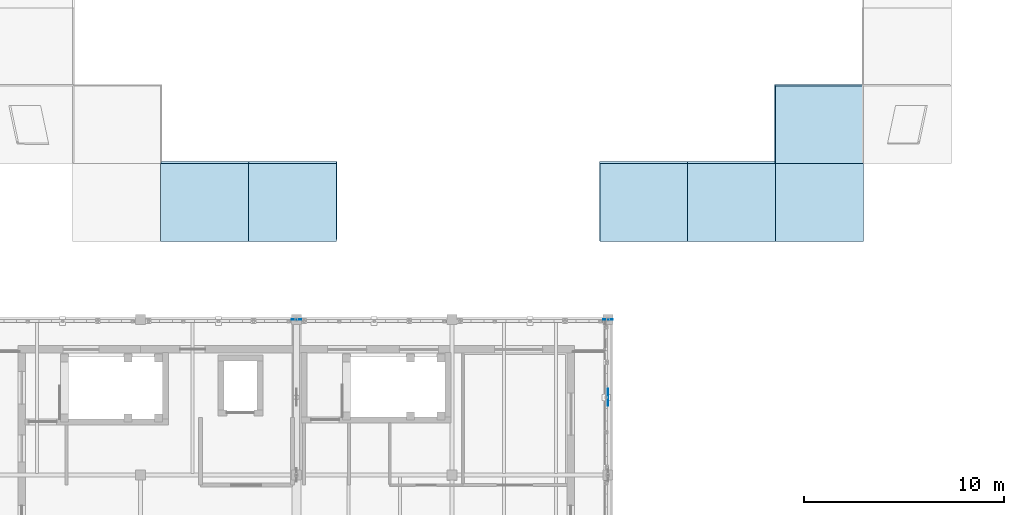
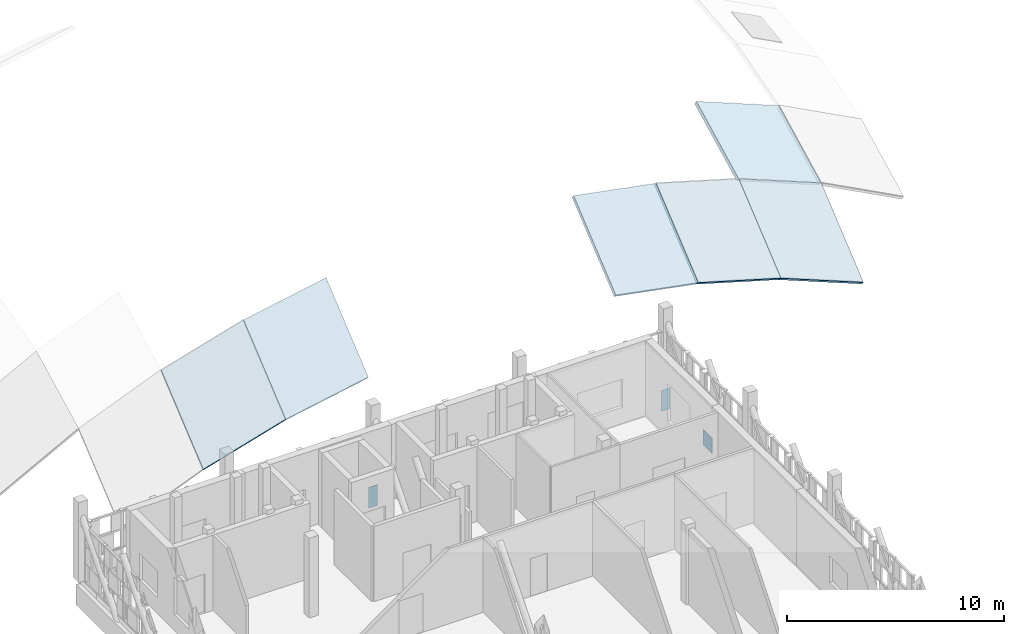
# One storey, part 50 of 89: 6 slabs, 3 plates.
"""IFC4 building model written with IfcOpenShell, lengths in metres."""

from ifc_helpers import new_model, si_unit, direction, frame, origin, origin_2d, place, context, subcontext, project, spatial, polyline, rectangle, outline, extrude, material, layer, layer_set, type_object, element, save


model = new_model("IFC4")

# Units and contexts
model_context = context("Model", 3, precision=1e-05, world=origin(), true_north=direction((0.0, 1.0)))
body_context = subcontext(model_context, "Body", "Model", "MODEL_VIEW")
ifc_project = project(units=[si_unit("LENGTHUNIT", "METRE"), si_unit("AREAUNIT", "SQUARE_METRE"), si_unit("VOLUMEUNIT", "CUBIC_METRE"), si_unit("PLANEANGLEUNIT", "RADIAN"), si_unit("MASSUNIT", "GRAM", prefix="KILO")], contexts=[model_context])

# Site, building, storey
site_placement = place(None, origin())
site = spatial("IfcSite", under=ifc_project, at=site_placement, CompositionType="ELEMENT")
building_placement = place(site_placement, origin())
building = spatial("IfcBuilding", under=site, at=building_placement, Name="Celorna Specialist Clinic", CompositionType="ELEMENT")
storey_placement = place(building_placement, frame((0.0, 0.0, 14.10009765625)))
storey = spatial("IfcBuildingStorey", under=building, at=storey_placement, Name="L03", CompositionType="ELEMENT", Elevation=14.10009765625)

# Plates
ifc_material_1 = material(Name="Steel S355", Category="steel")
ifc_layer_1 = layer(ifc_material_1, 0.02490234375, Name="Steel S355")
ifc_layer_set_1 = layer_set([ifc_layer_1], Name="Steel S355")
plate_type_1 = type_object("IfcPlateType", Name="EP-01", PredefinedType="SHEET", material=ifc_layer_set_1)
for number, where, z_axis, x_axis, name in (
    (1, (70.199951171875, 42.89990234375, -1.42529296875), (0.0, 0.0, 1.0), (1.0, 0.0, 0.0), "Truss chord end cap plate EP-01 #30"),
    (2, (85.800048828125, 42.89990234375, -1.42529296875), (0.0, 0.0, 1.0), (1.0, 0.0, 0.0), "Truss chord end cap plate EP-01 #52"),
):
    element("IfcPlate", number, at=place(storey_placement, frame(where, z_axis=z_axis, x_axis=x_axis)), inside=storey, type_object=plate_type_1, Name=name, PredefinedType="SHEET", context=body_context, shape_type="SweptSolid", body=[
        extrude(rectangle(XDim=0.47998046875, YDim=0.02490234375, at=origin_2d()), origin(), (0.0, 0.0, 1.0), 1.179931640625),
    ])
ifc_layer_2 = layer(ifc_material_1, 0.028076171875, Name="Steel S355")
ifc_layer_set_2 = layer_set([ifc_layer_2], Name="Steel S355")
plate_type_2 = type_object("IfcPlateType", Name="GP-01", PredefinedType="USERDEFINED", material=ifc_layer_set_2)
plate_placement = place(storey_placement, frame((85.800048828125, 39.0, -1.26025390625), z_axis=(0.0, 0.0, 1.0), x_axis=(0.0, 1.0, 0.0)))
element("IfcPlate", 3, at=plate_placement, inside=storey, type_object=plate_type_2, Name="Truss node gusset plate TN-074", ObjectType="GUSSET PLATE", PredefinedType="USERDEFINED", context=body_context, shape_type="SweptSolid", body=[
    extrude(rectangle(XDim=0.85009765625, YDim=0.028076171875, at=origin_2d()), origin(), (0.0, 0.0, 1.0), 0.85009765625),
])

# Slabs
ifc_material_2 = material(Name="Glulam GL28h insulated roof deck", Category="wood")
ifc_layer_3 = layer(ifc_material_2, 0.179931640625, Name="Glulam GL28h insulated roof deck")
ifc_layer_set_3 = layer_set([ifc_layer_3], Name="Glulam GL28h insulated roof deck")
slab_type = type_object("IfcSlabType", Name="SL-12", PredefinedType="ROOF", material=ifc_layer_set_3)
slab_1_placement = place(storey_placement, frame((63.39990234375, 46.800048828125, 0.6953125), z_axis=(-0.219360188333, -0.623769411018, 0.750195194368), x_axis=(0.959809509952, 0.0, 0.280652284162)))
element("IfcSlab", 4, at=slab_1_placement, inside=storey, type_object=slab_type, Name="GSH-V1 translational gridshell roof facet 3-1", PredefinedType="ROOF", context=body_context, shape_type="SweptSolid", body=[
    extrude(outline(polyline([(0.0, 0.0), (4.584395589697743, 1.1102230246251565e-16), (5.494459954501737, 4.989585891134247), (0.9100643648039946, 4.989585891134247), (0.0, 0.0)])), origin(), (0.0, 0.0, -1.0), 0.179931640625),
])
slab_2_placement = place(storey_placement, frame((67.800048828125, 46.800048828125, 1.98193359375), z_axis=(-0.144925345296, -0.632591455463, 0.760805293598), x_axis=(0.982336180889, 0.0, 0.187124631506)))
element("IfcSlab", 5, at=slab_2_placement, inside=storey, type_object=slab_type, Name="GSH-V1 translational gridshell roof facet 4-1", PredefinedType="ROOF", context=body_context, shape_type="SweptSolid", body=[
    extrude(outline(polyline([(0.0, 0.0), (4.479018923814234, -1.1102230246251565e-16), (5.085803434472522, 5.035473867543871), (0.6067845106582882, 5.035473867543871), (0.0, 0.0)])), origin(), (0.0, 0.0, -1.0), 0.179931640625),
])
slab_3_placement = place(storey_placement, frame((85.39990234375, 46.800048828125, 2.820068359375), z_axis=(0.14491747304, -0.632592192643, 0.76080618019), x_axis=(0.982338089354, 0.0, -0.187114612481)))
element("IfcSlab", 6, at=slab_3_placement, inside=storey, type_object=slab_type, Name="GSH-V1 translational gridshell roof facet 8-1", PredefinedType="ROOF", context=body_context, shape_type="SweptSolid", body=[
    extrude(outline(polyline([(0.0, 0.0), (4.47925875221637, 0.0), (3.872506730004872, 5.035477782359317), (-0.6067520222114978, 5.035477782359317), (0.0, 0.0)])), origin(), (0.0, 0.0, -1.0), 0.179931640625),
])
slab_4_placement = place(storey_placement, frame((89.800048828125, 46.800048828125, 1.98193359375), z_axis=(0.219371774393, -0.623767745509, 0.750193191293), x_axis=(0.959805314986, 0.0, -0.280666630229)))
element("IfcSlab", 7, at=slab_4_placement, inside=storey, type_object=slab_type, Name="GSH-V1 translational gridshell roof facet 9-1", PredefinedType="ROOF", context=body_context, shape_type="SweptSolid", body=[
    extrude(outline(polyline([(0.0, 0.0), (4.58416126171617, 2.220446049250313e-16), (3.6740503772690976, 4.989577406063865), (-0.9101108844470723, 4.989577406063864), (0.0, 0.0)])), origin(), (0.0, 0.0, -1.0), 0.179931640625),
])
slab_5_placement = place(storey_placement, frame((94.199951171875, 46.800048828125, 0.6953125), z_axis=(0.296389644649, -0.61061378964, 0.73437318745), x_axis=(0.927322552117, 0.0, -0.374263121794)))
element("IfcSlab", 8, at=slab_5_placement, inside=storey, type_object=slab_type, Name="GSH-V1 translational gridshell roof facet 10-1", PredefinedType="ROOF", context=body_context, shape_type="SweptSolid", body=[
    extrude(outline(polyline([(0.0, 0.0), (4.745001050961039, 2.220446049250313e-16), (3.5313870901035838, 4.924563500159575), (-1.2136139608574552, 4.924563500159575), (0.0, 0.0)])), origin(), (0.0, 0.0, -1.0), 0.179931640625),
])
slab_6_placement = place(storey_placement, frame((94.199951171875, 50.699951171875, 3.93798828125), z_axis=(0.338069789045, -0.42902120359, 0.83764528567), x_axis=(0.927322552117, 0.0, -0.374263121794)))
element("IfcSlab", 9, at=slab_6_placement, inside=storey, type_object=slab_type, Name="GSH-V1 translational gridshell roof facet 10-2", PredefinedType="ROOF", context=body_context, shape_type="SweptSolid", body=[
    extrude(outline(polyline([(0.0, 0.0), (4.745001050961039, -1.1102230246251565e-16), (3.9973885356970955, 4.317691334737567), (-0.7476125152639436, 4.3176913347375665), (0.0, 0.0)])), origin(), (0.0, 0.0, -1.0), 0.179931640625),
])

save(model, "model.ifc")
